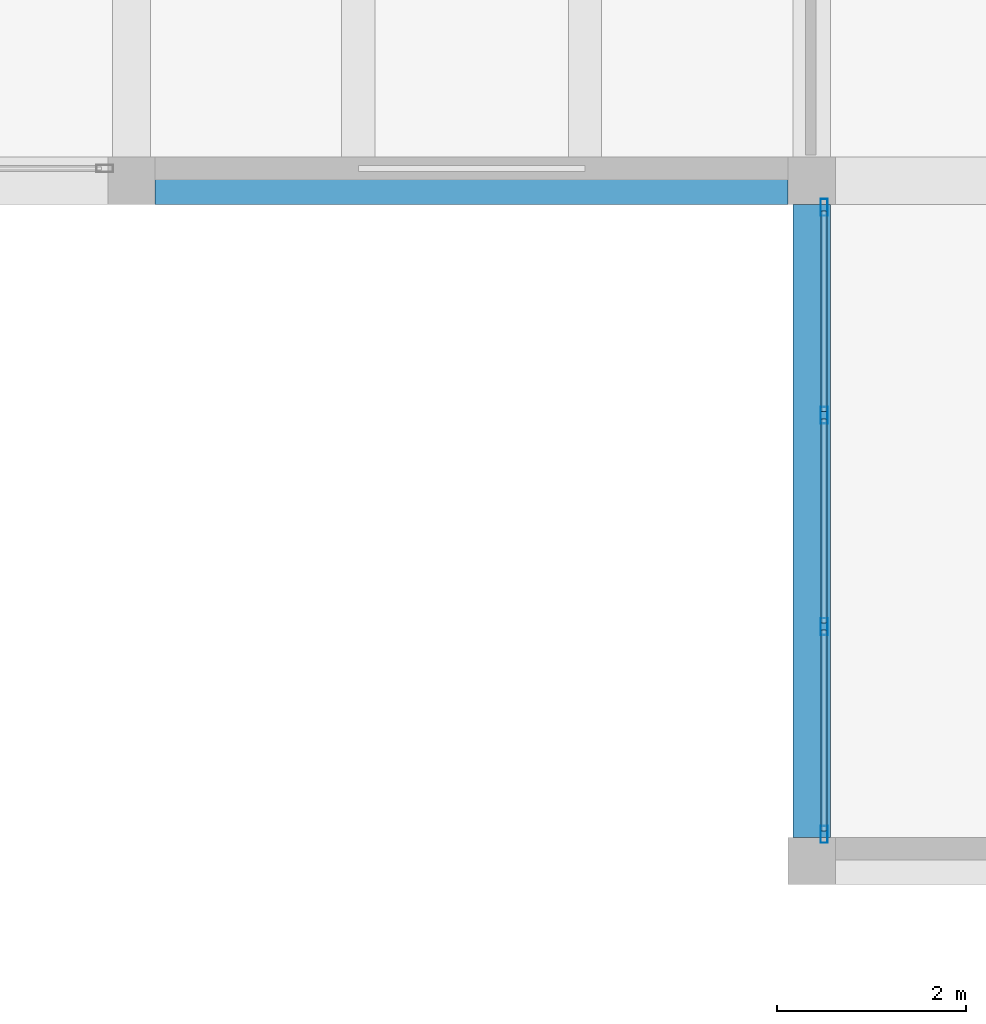
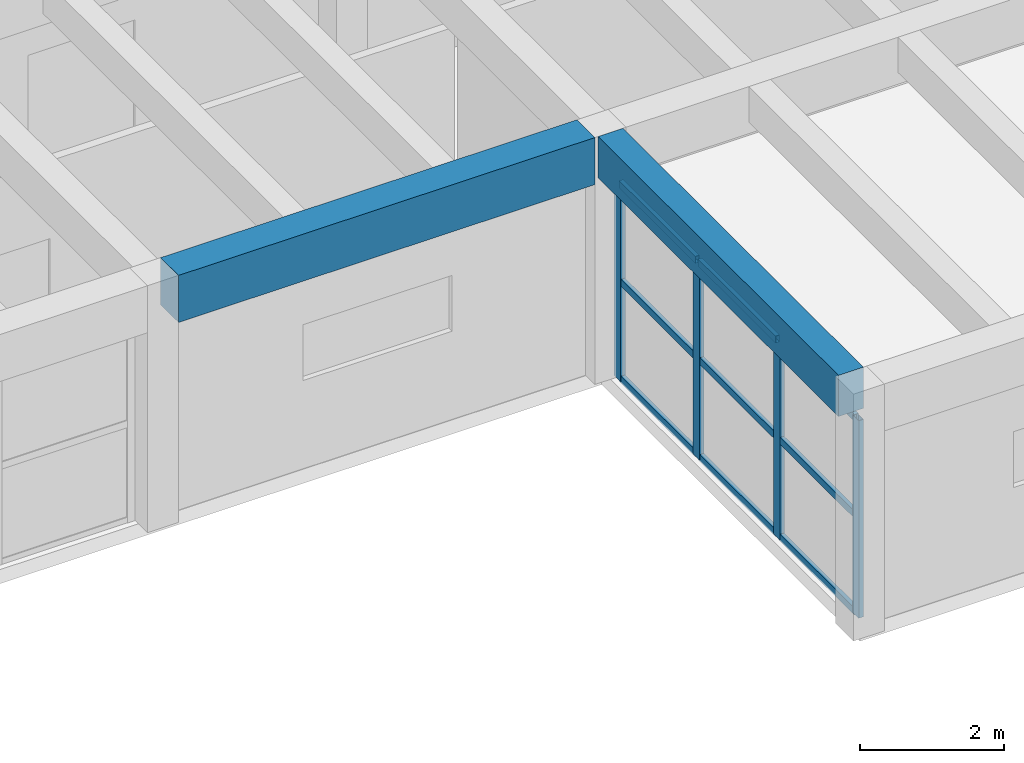
# One storey, part 105 of 153: 13 members, 2 beams, 1 element without a shape of its own.
"""IFC4 building model written with IfcOpenShell, lengths in metres."""

from ifc_helpers import new_model, si_unit, direction, frame, origin, origin_2d, place, context, subcontext, project, spatial, rectangle, hollow_rectangle, extrude, material, material_profile, profile_set, type_object, element, aggregate, save


model = new_model("IFC4")

# Units and contexts
model_context = context("Model", 3, precision=1e-05, world=origin(), true_north=direction((0.0, 1.0)))
body_context = subcontext(model_context, "Body", "Model", "MODEL_VIEW")
ifc_project = project(units=[si_unit("LENGTHUNIT", "METRE"), si_unit("AREAUNIT", "SQUARE_METRE"), si_unit("VOLUMEUNIT", "CUBIC_METRE"), si_unit("PLANEANGLEUNIT", "RADIAN"), si_unit("MASSUNIT", "GRAM", prefix="KILO")], contexts=[model_context])

# Site, building, storey
site_placement = place(None, origin())
site = spatial("IfcSite", under=ifc_project, at=site_placement, CompositionType="ELEMENT")
building_placement = place(site_placement, origin())
building = spatial("IfcBuilding", under=site, at=building_placement, Name="Bramvelor Terrace Health Centre", CompositionType="ELEMENT")
storey_placement = place(building_placement, frame((0.0, 0.0, 4.800048828125)))
storey = spatial("IfcBuildingStorey", under=building, at=storey_placement, Name="L02", CompositionType="ELEMENT", Elevation=4.800048828125)

# Beams
ifc_material_1 = material(Name="Concrete C40/50", Category="concrete")
ifc_material_profile_1 = material_profile(ifc_material_1, rectangle(XDim=0.39990234375, YDim=0.699951171875, at=origin_2d()), Name="RC 400x700")
ifc_profile_set_1 = profile_set([ifc_material_profile_1], Name="Concrete C40/50")
beam_type_1 = type_object("IfcBeamType", Name="BM-RC-G700", PredefinedType="BEAM", material=ifc_profile_set_1)
beam_1_placement = place(storey_placement, frame((151.199951171875, 43.449951171875, 3.849853515625), z_axis=(0.0, 1.0, 0.0), x_axis=(-1.0, 0.0, 0.0)))
element("IfcBeam", 1, at=beam_1_placement, inside=storey, type_object=beam_type_1, Name="L02 Floor Girder", PredefinedType="BEAM", context=body_context, shape_type="SweptSolid", body=[
    extrude(rectangle(XDim=0.39990234375, YDim=0.699951171875, at=origin_2d()), origin(), (0.0, 0.0, 1.0), 6.699951171875),
])
ifc_material_2 = material(Name="Concrete C40/50", Category="concrete")
ifc_material_profile_2 = material_profile(ifc_material_2, rectangle(XDim=0.5, YDim=0.800048828125, at=origin_2d()), Name="RC 500x800")
ifc_profile_set_2 = profile_set([ifc_material_profile_2], Name="Concrete C40/50")
beam_type_2 = type_object("IfcBeamType", Name="BM-RC-G800", PredefinedType="BEAM", material=ifc_profile_set_2)
beam_2_placement = place(storey_placement, frame((144.25, 50.39990234375, 3.800048828125), z_axis=(1.0, 0.0, 0.0), x_axis=(0.0, 1.0, 0.0)))
element("IfcBeam", 2, at=beam_2_placement, inside=storey, type_object=beam_type_2, Name="L02 Floor Girder", PredefinedType="BEAM", context=body_context, shape_type="SweptSolid", body=[
    extrude(rectangle(XDim=0.5, YDim=0.800048828125, at=origin_2d()), origin(), (0.0, 0.0, 1.0), 6.699951171875),
])

# Curtain wall, members
ifc_material_3 = material(Name="Anodized aluminium and double low-E glass", Category="aluminium")
curtain_wall_type = type_object("IfcCurtainWallType", Name="CW-SYS-16", PredefinedType="NOTDEFINED", material=ifc_material_3)
curtain_wall_placement = place(storey_placement, origin())
curtain_wall = element("IfcCurtainWall", 3, at=curtain_wall_placement, inside=storey, type_object=curtain_wall_type, Name="L02 Unitized Curtain Wall 108", PredefinedType="NOTDEFINED")
ifc_material_4 = material(Name="Anodized aluminium 6063-T6", Category="aluminium")
ifc_material_profile_3 = material_profile(ifc_material_4, hollow_rectangle(XDim=0.074951171875, YDim=0.179931640625, WallThickness=0.00341796875, at=origin_2d()), Name="ALU-MUL 75x180x3.5")
ifc_profile_set_3 = profile_set([ifc_material_profile_3], Name="Anodized aluminium 6063-T6")
member_type_1 = type_object("IfcMemberType", Name="CW-MUL-65x180", PredefinedType="MULLION", material=ifc_profile_set_3)
member_1_placement = place(storey_placement, frame((151.330078125, 43.482421875, 0.0), z_axis=(0.0, 0.0, 1.0), x_axis=(-1.0, 0.0, 0.0)))
member_1 = element("IfcMember", 4, at=member_1_placement, type_object=member_type_1, Name="CW-16 mullion 1", PredefinedType="MULLION", context=body_context, shape_type="SweptSolid", body=[
    extrude(hollow_rectangle(XDim=0.074951171875, YDim=0.179931640625, WallThickness=0.00341796875, at=origin_2d()), origin(), (0.0, 0.0, 1.0), 3.35986328125),
])
member_2_placement = place(storey_placement, frame((151.330078125, 45.681640625, 0.0), z_axis=(0.0, 0.0, 1.0), x_axis=(-1.0, 0.0, 0.0)))
member_2 = element("IfcMember", 5, at=member_2_placement, type_object=member_type_1, Name="CW-16 mullion 2", PredefinedType="MULLION", context=body_context, shape_type="SweptSolid", body=[
    extrude(hollow_rectangle(XDim=0.074951171875, YDim=0.179931640625, WallThickness=0.00341796875, at=origin_2d()), origin(), (0.0, 0.0, 1.0), 3.35986328125),
])
member_3_placement = place(storey_placement, frame((151.330078125, 47.918212890625, 0.0), z_axis=(0.0, 0.0, 1.0), x_axis=(-1.0, 0.0, 0.0)))
member_3 = element("IfcMember", 6, at=member_3_placement, type_object=member_type_1, Name="CW-16 mullion 3", PredefinedType="MULLION", context=body_context, shape_type="SweptSolid", body=[
    extrude(hollow_rectangle(XDim=0.074951171875, YDim=0.179931640625, WallThickness=0.00341796875, at=origin_2d()), origin(), (0.0, 0.0, 1.0), 3.35986328125),
])
member_4_placement = place(storey_placement, frame((151.330078125, 50.117431640625, 0.0), z_axis=(0.0, 0.0, 1.0), x_axis=(-1.0, 0.0, 0.0)))
member_4 = element("IfcMember", 7, at=member_4_placement, type_object=member_type_1, Name="CW-16 mullion 4", PredefinedType="MULLION", context=body_context, shape_type="SweptSolid", body=[
    extrude(hollow_rectangle(XDim=0.074951171875, YDim=0.179931640625, WallThickness=0.00341796875, at=origin_2d()), origin(), (0.0, 0.0, 1.0), 3.35986328125),
])
ifc_material_5 = material(Name="Anodized aluminium 6063-T6", Category="aluminium")
ifc_material_profile_4 = material_profile(ifc_material_5, hollow_rectangle(XDim=0.06494140625, YDim=0.1201171875, WallThickness=0.0029296875, at=origin_2d()), Name="ALU-TRN 65x120x3.0")
ifc_profile_set_4 = profile_set([ifc_material_profile_4], Name="Anodized aluminium 6063-T6")
member_type_2 = type_object("IfcMemberType", Name="CW-TRN-65x150", PredefinedType="USERDEFINED", material=ifc_profile_set_4)
member_5_placement = place(storey_placement, frame((151.330078125, 43.52001953125, 0.032470703125), z_axis=(0.0, 1.0, 0.0), x_axis=(-1.0, 0.0, 0.0)))
member_5 = element("IfcMember", 8, at=member_5_placement, type_object=member_type_2, Name="CW-16 transom 1.1", ObjectType="TRANSOM", PredefinedType="USERDEFINED", context=body_context, shape_type="SweptSolid", body=[
    extrude(hollow_rectangle(XDim=0.06494140625, YDim=0.1201171875, WallThickness=0.0029296875, at=origin_2d()), origin(), (0.0, 0.0, 1.0), 2.124267578125),
])
member_6_placement = place(storey_placement, frame((151.330078125, 43.52001953125, 1.679931640625), z_axis=(0.0, 1.0, 0.0), x_axis=(-1.0, 0.0, 0.0)))
member_6 = element("IfcMember", 9, at=member_6_placement, type_object=member_type_2, Name="CW-16 transom 1.2", ObjectType="TRANSOM", PredefinedType="USERDEFINED", context=body_context, shape_type="SweptSolid", body=[
    extrude(hollow_rectangle(XDim=0.06494140625, YDim=0.1201171875, WallThickness=0.0029296875, at=origin_2d()), origin(), (0.0, 0.0, 1.0), 2.124267578125),
])
member_7_placement = place(storey_placement, frame((151.330078125, 43.52001953125, 3.327392578125), z_axis=(0.0, 1.0, 0.0), x_axis=(-1.0, 0.0, 0.0)))
member_7 = element("IfcMember", 10, at=member_7_placement, type_object=member_type_2, Name="CW-16 transom 1.3", ObjectType="TRANSOM", PredefinedType="USERDEFINED", context=body_context, shape_type="SweptSolid", body=[
    extrude(hollow_rectangle(XDim=0.06494140625, YDim=0.1201171875, WallThickness=0.0029296875, at=origin_2d()), origin(), (0.0, 0.0, 1.0), 2.124267578125),
])
member_8_placement = place(storey_placement, frame((151.330078125, 45.71923828125, 0.032470703125), z_axis=(0.0, 1.0, 0.0), x_axis=(-1.0, 0.0, 0.0)))
member_8 = element("IfcMember", 11, at=member_8_placement, type_object=member_type_2, Name="CW-16 transom 2.1", ObjectType="TRANSOM", PredefinedType="USERDEFINED", context=body_context, shape_type="SweptSolid", body=[
    extrude(hollow_rectangle(XDim=0.06494140625, YDim=0.1201171875, WallThickness=0.0029296875, at=origin_2d()), origin(), (0.0, 0.0, 1.0), 2.16162109375),
])
member_9_placement = place(storey_placement, frame((151.330078125, 45.71923828125, 1.679931640625), z_axis=(0.0, 1.0, 0.0), x_axis=(-1.0, 0.0, 0.0)))
member_9 = element("IfcMember", 12, at=member_9_placement, type_object=member_type_2, Name="CW-16 transom 2.2", ObjectType="TRANSOM", PredefinedType="USERDEFINED", context=body_context, shape_type="SweptSolid", body=[
    extrude(hollow_rectangle(XDim=0.06494140625, YDim=0.1201171875, WallThickness=0.0029296875, at=origin_2d()), origin(), (0.0, 0.0, 1.0), 2.16162109375),
])
member_10_placement = place(storey_placement, frame((151.330078125, 45.71923828125, 3.327392578125), z_axis=(0.0, 1.0, 0.0), x_axis=(-1.0, 0.0, 0.0)))
member_10 = element("IfcMember", 13, at=member_10_placement, type_object=member_type_2, Name="CW-16 transom 2.3", ObjectType="TRANSOM", PredefinedType="USERDEFINED", context=body_context, shape_type="SweptSolid", body=[
    extrude(hollow_rectangle(XDim=0.06494140625, YDim=0.1201171875, WallThickness=0.0029296875, at=origin_2d()), origin(), (0.0, 0.0, 1.0), 2.16162109375),
])
member_11_placement = place(storey_placement, frame((151.330078125, 47.955810546875, 0.032470703125), z_axis=(0.0, 1.0, 0.0), x_axis=(-1.0, 0.0, 0.0)))
member_11 = element("IfcMember", 14, at=member_11_placement, type_object=member_type_2, Name="CW-16 transom 3.1", ObjectType="TRANSOM", PredefinedType="USERDEFINED", context=body_context, shape_type="SweptSolid", body=[
    extrude(hollow_rectangle(XDim=0.06494140625, YDim=0.1201171875, WallThickness=0.0029296875, at=origin_2d()), origin(), (0.0, 0.0, 1.0), 2.124267578125),
])
member_12_placement = place(storey_placement, frame((151.330078125, 47.955810546875, 1.679931640625), z_axis=(0.0, 1.0, 0.0), x_axis=(-1.0, 0.0, 0.0)))
member_12 = element("IfcMember", 15, at=member_12_placement, type_object=member_type_2, Name="CW-16 transom 3.2", ObjectType="TRANSOM", PredefinedType="USERDEFINED", context=body_context, shape_type="SweptSolid", body=[
    extrude(hollow_rectangle(XDim=0.06494140625, YDim=0.1201171875, WallThickness=0.0029296875, at=origin_2d()), origin(), (0.0, 0.0, 1.0), 2.124267578125),
])
member_13_placement = place(storey_placement, frame((151.330078125, 47.955810546875, 3.327392578125), z_axis=(0.0, 1.0, 0.0), x_axis=(-1.0, 0.0, 0.0)))
member_13 = element("IfcMember", 16, at=member_13_placement, type_object=member_type_2, Name="CW-16 transom 3.3", ObjectType="TRANSOM", PredefinedType="USERDEFINED", context=body_context, shape_type="SweptSolid", body=[
    extrude(hollow_rectangle(XDim=0.06494140625, YDim=0.1201171875, WallThickness=0.0029296875, at=origin_2d()), origin(), (0.0, 0.0, 1.0), 2.124267578125),
])
aggregate(curtain_wall, [member_1, member_2, member_3, member_4, member_5, member_6, member_7, member_8, member_9, member_10, member_11, member_12, member_13])

save(model, "model.ifc")
